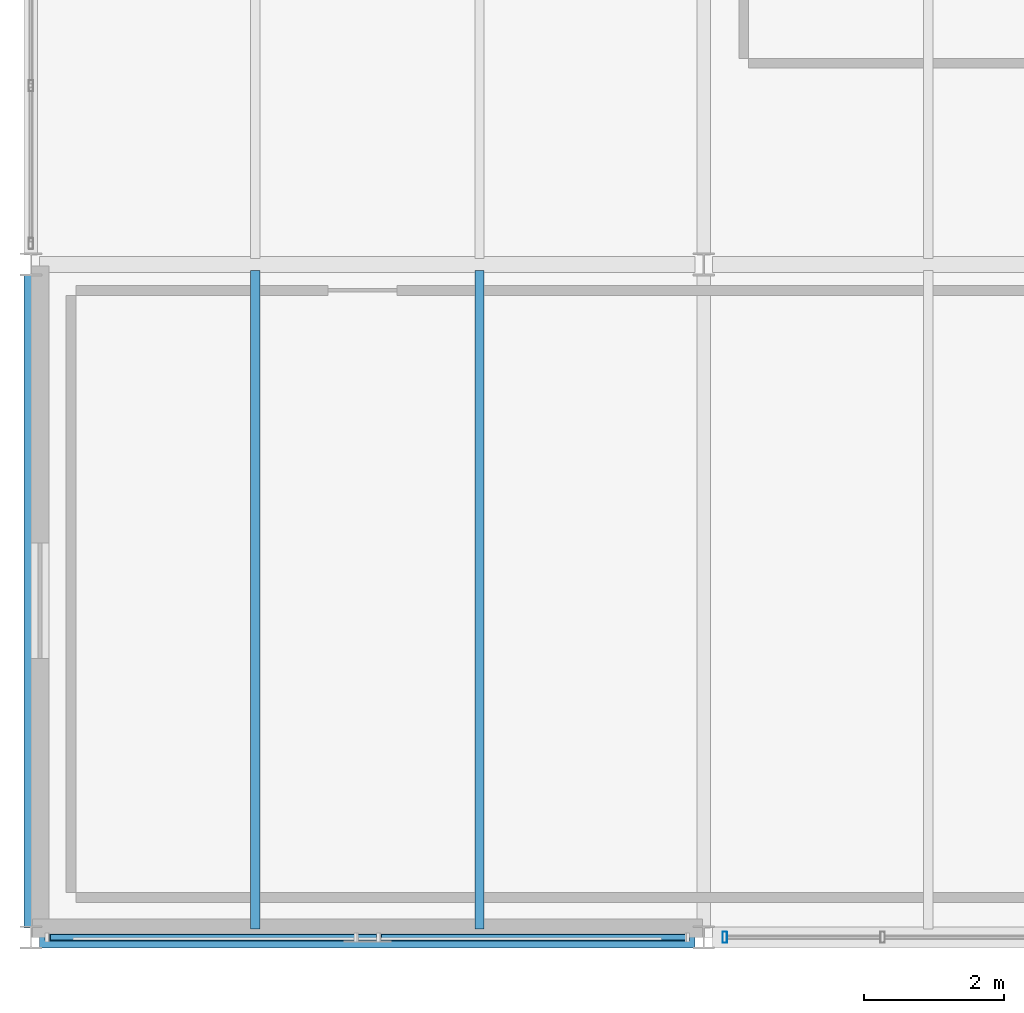
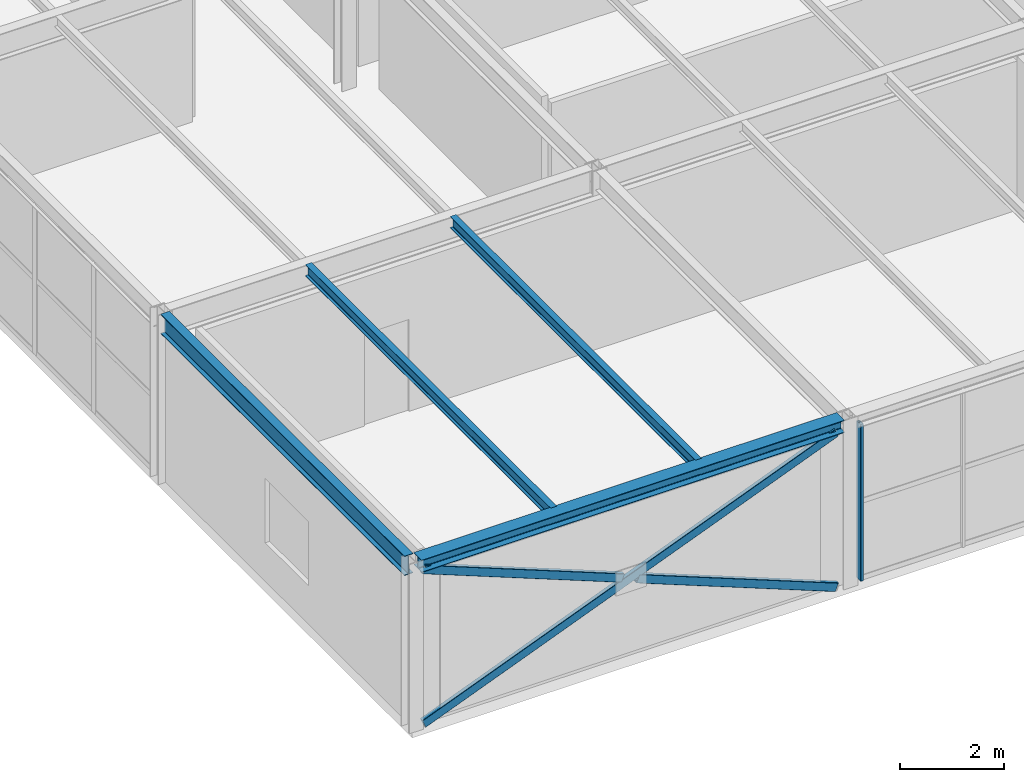
# One storey, part 5 of 50: 4 beams, 4 members, 1 element without a shape of its own.
"""IFC4 building model written with IfcOpenShell, lengths in metres."""

import ifcopenshell
import ifcopenshell.guid

model = None  # the IFC model being written
_history = None  # IfcOwnerHistory: only IFC2X3 demands one
_inside = {}  # id of a spatial element -> (the spatial element, [elements in it])
_under = {}  # id of a project, library or spatial element -> (it, [spatial elements below it])
_declared = {}  # id of a project -> (the project, [libraries it declares])
_typed = {}  # id of a type object -> (the type object, [elements of that type])
_made_of = {}  # id of a material, layer set ... -> (it, [elements and type objects made of it])


def new_model(schema):
    """Start an empty IFC model of exactly this schema.

    Asked for "IFC4X3", IfcOpenShell would pick the latest addendum, in which some entities
    have other attributes; the version numbers below select the first issue.
    IFC2X3 requires an IfcOwnerHistory on every rooted entity: one is made here for all.
    """
    global model, _history
    if schema == "IFC4X3":
        model = ifcopenshell.file(schema_version=(4, 3, 0, 0))
    else:
        model = ifcopenshell.file(schema=schema)
    _inside.clear()
    _under.clear()
    _declared.clear()
    _typed.clear()
    _made_of.clear()
    _history = None
    if model.schema == "IFC2X3":
        org = make("IfcOrganization", Name="unknown")
        user = make(
            "IfcPersonAndOrganization",
            ThePerson=make("IfcPerson", FamilyName="unknown"),
            TheOrganization=org,
        )
        app = make(
            "IfcApplication",
            ApplicationDeveloper=org,
            Version="unknown",
            ApplicationFullName="unknown",
            ApplicationIdentifier="unknown",
        )
        _history = make(
            "IfcOwnerHistory",
            OwningUser=user,
            OwningApplication=app,
            ChangeAction="ADDED",
            CreationDate=0,
        )
    return model


def make(cls, **values):
    """One entity of the class cls with the attributes given. An attribute that is None is left unset."""
    return model.create_entity(
        cls, **{name: value for name, value in values.items() if value is not None}
    )


def rooted(cls, **values):
    """An entity with a GlobalId (a new one), such as an element, a storey or a relation."""
    return make(cls, GlobalId=ifcopenshell.guid.new(), OwnerHistory=_history, **values)


def si_unit(unit_type, name, prefix=None):
    """IfcSIUnit, for example si_unit("LENGTHUNIT", "METRE", prefix="MILLI")."""
    return make("IfcSIUnit", UnitType=unit_type, Prefix=prefix, Name=name)


def assignment(units):
    """IfcUnitAssignment: the units of a project."""
    return None if units is None else make("IfcUnitAssignment", Units=units)


def point(xyz):
    """IfcCartesianPoint."""
    return None if xyz is None else make("IfcCartesianPoint", Coordinates=xyz)


def direction(xyz):
    """IfcDirection."""
    return None if xyz is None else make("IfcDirection", DirectionRatios=xyz)


def frame(location, z_axis=None, x_axis=None):
    """IfcAxis2Placement3D, a coordinate frame: its origin and axes. An axis left out is left unset."""
    return make(
        "IfcAxis2Placement3D",
        Location=point(location),
        Axis=direction(z_axis),
        RefDirection=direction(x_axis),
    )


def frame_2d(location, x_axis=None):
    """IfcAxis2Placement2D, a coordinate frame in the plane: its origin and x axis."""
    return make(
        "IfcAxis2Placement2D", Location=point(location), RefDirection=direction(x_axis)
    )


def origin():
    """The frame at (0, 0, 0) with its axes left unset."""
    return frame((0.0, 0.0, 0.0))


def origin_2d():
    """The frame at (0, 0) in the plane with its x axis left unset."""
    return frame_2d((0.0, 0.0))


def place(relative_to, where):
    """IfcLocalPlacement: puts the frame where relative to a parent placement (None: the world)."""
    return make(
        "IfcLocalPlacement", PlacementRelTo=relative_to, RelativePlacement=where
    )


def context(
    kind, dimensions, precision=None, world=None, true_north=None, identifier=None
):
    """IfcGeometricRepresentationContext, for example the 3D "Model" context."""
    return make(
        "IfcGeometricRepresentationContext",
        ContextIdentifier=identifier,
        ContextType=kind,
        CoordinateSpaceDimension=dimensions,
        Precision=precision,
        WorldCoordinateSystem=world,
        TrueNorth=true_north,
    )


def subcontext(parent, identifier, kind, view, scale=None):
    """IfcGeometricRepresentationSubContext, for example "Body" below "Model"."""
    return make(
        "IfcGeometricRepresentationSubContext",
        ContextIdentifier=identifier,
        ContextType=kind,
        ParentContext=parent,
        TargetScale=scale,
        TargetView=view,
    )


def project(units=None, contexts=None):
    """IfcProject with its units and contexts."""
    return rooted(
        "IfcProject",
        Name="project",
        RepresentationContexts=contexts,
        UnitsInContext=assignment(units),
    )


def spatial(cls, under=None, at=None, **own):
    """A site, building, storey or space (cls), placed at a placement, below another one or the project."""
    s = rooted(cls, ObjectPlacement=at, **own)
    if under is not None:
        _under.setdefault(under.id(), (under, []))[1].append(s)
    return s


def profile(cls, at=None, kind="AREA", **sizes):
    """A parametric profile (cls). Its sizes go by their IFC names, for example OverallWidth=200.0."""
    return make(cls, ProfileType=kind, Position=at, **sizes)


def hollow_rectangle(**sizes):
    """IfcRectangleHollowProfileDef."""
    return profile("IfcRectangleHollowProfileDef", **sizes)


def i_section(**sizes):
    """IfcIShapeProfileDef."""
    return profile("IfcIShapeProfileDef", **sizes)


def extrude(swept, where, along, depth):
    """IfcExtrudedAreaSolid: the profile swept, set in the frame where, extruded along a direction by depth."""
    return make(
        "IfcExtrudedAreaSolid",
        SweptArea=swept,
        Position=where,
        ExtrudedDirection=direction(along),
        Depth=depth,
    )


def shape(context_of_items, identifier, shape_type, items):
    """IfcShapeRepresentation: the items that make up one representation, for example the "Body"."""
    return make(
        "IfcShapeRepresentation",
        ContextOfItems=context_of_items,
        RepresentationIdentifier=identifier,
        RepresentationType=shape_type,
        Items=items,
    )


def material(Name=None, Category=None):
    """IfcMaterial."""
    return make("IfcMaterial", Name=Name, Category=Category)


def material_profile(
    of_material, cross_section, Name=None, Category=None, Priority=None
):
    """IfcMaterialProfile: a cross section and its material."""
    return make(
        "IfcMaterialProfile",
        Name=Name,
        Material=of_material,
        Profile=cross_section,
        Priority=Priority,
        Category=Category,
    )


def profile_set(profiles, Name=None, composite=None):
    """IfcMaterialProfileSet."""
    return make(
        "IfcMaterialProfileSet",
        Name=Name,
        MaterialProfiles=profiles,
        CompositeProfile=composite,
    )


def made_of(thing, what):
    """Note that an element or type object is made of a material, layer set ...; save() writes the relation."""
    if what is not None:
        _made_of.setdefault(what.id(), (what, []))[1].append(thing)
    return thing


def type_object(cls, material=None, **own):
    """A type object (cls), such as IfcWallType, which elements share."""
    return made_of(rooted(cls, **own), material)


def element(
    cls,
    number,
    at=None,
    inside=None,
    cuts=None,
    type_object=None,
    material=None,
    context=None,
    identifier="Body",
    shape_type=None,
    held_by="IfcProductDefinitionShape",
    body=None,
    shapes=None,
    **own,
):
    """One element of the class cls, such as IfcWall. Its Tag is "e" and its number.

    at: its placement. inside: the storey or other place that contains it. cuts: it is an
    opening in that element (IfcRelVoidsElement). A single representation is given by context,
    identifier, shape_type and body (its items); several are given by shapes. held_by: the class
    of the entity that holds the representations. save() writes the other relations.
    """
    e = rooted(cls, Tag="e%d" % number, ObjectPlacement=at, **own)
    if body is not None:
        shapes = [shape(context, identifier, shape_type, body)]
    if shapes is not None:
        e.Representation = make(held_by, Representations=shapes)
    if inside is not None:
        _inside.setdefault(inside.id(), (inside, []))[1].append(e)
    if cuts is not None:
        rooted(
            "IfcRelVoidsElement", RelatingBuildingElement=cuts, RelatedOpeningElement=e
        )
    if type_object is not None:
        _typed.setdefault(type_object.id(), (type_object, []))[1].append(e)
    return made_of(e, material)


def aggregate(whole, parts):
    """IfcRelAggregates: a whole, such as a stair, and the parts it consists of."""
    return rooted("IfcRelAggregates", RelatingObject=whole, RelatedObjects=parts)


def save(model, path):
    """Write the relations noted so far, then the file.

    IfcRelAggregates (storeys below a building ...), IfcRelContainedInSpatialStructure (elements
    in a storey), IfcRelDefinesByType, IfcRelAssociatesMaterial and IfcRelDeclares: one each for
    every whole, place, type object, material and project.
    """
    for whole, parts in _under.values():
        aggregate(whole, parts)
    for where, things in _inside.values():
        rooted(
            "IfcRelContainedInSpatialStructure",
            RelatedElements=things,
            RelatingStructure=where,
        )
    for kind, things in _typed.values():
        rooted("IfcRelDefinesByType", RelatedObjects=things, RelatingType=kind)
    for what, things in _made_of.values():
        rooted("IfcRelAssociatesMaterial", RelatedObjects=things, RelatingMaterial=what)
    for by, libraries in _declared.values():
        rooted("IfcRelDeclares", RelatingContext=by, RelatedDefinitions=libraries)
    model.write(path)


model = new_model("IFC4")

# Units and contexts
model_context = context("Model", 3, precision=1e-05, world=origin(), true_north=direction((0.0, 1.0)))
body_context = subcontext(model_context, "Body", "Model", "MODEL_VIEW")
ifc_project = project(units=[si_unit("LENGTHUNIT", "METRE"), si_unit("AREAUNIT", "SQUARE_METRE"), si_unit("VOLUMEUNIT", "CUBIC_METRE"), si_unit("PLANEANGLEUNIT", "RADIAN"), si_unit("MASSUNIT", "GRAM", prefix="KILO")], contexts=[model_context])

# Site, building, storey
site_placement = place(None, origin())
site = spatial("IfcSite", under=ifc_project, at=site_placement, CompositionType="ELEMENT")
building_placement = place(site_placement, origin())
building = spatial("IfcBuilding", under=site, at=building_placement, Name="Coralgate Yard Interchange", CompositionType="ELEMENT")
storey_placement = place(building_placement, frame((0.0, 0.0, 14.699951171875)))
storey = spatial("IfcBuildingStorey", under=building, at=storey_placement, Name="L03", CompositionType="ELEMENT", Elevation=14.699951171875)

# Beams
ifc_material_1 = material(Name="Structural steel S355J2", Category="steel")
ifc_material_profile_1 = material_profile(ifc_material_1, i_section(OverallWidth=0.1904296875, OverallDepth=0.45703125, WebThickness=0.009033203125, FlangeThickness=0.014404296875, FilletRadius=0.01025390625, at=origin_2d()), Name="UB 457x191x74")
ifc_profile_set_1 = profile_set([ifc_material_profile_1], Name="Structural steel S355J2")
beam_type_1 = type_object("IfcBeamType", Name="BM-SB-2", PredefinedType="BEAM", material=ifc_profile_set_1)
beam_1_placement = place(storey_placement, frame((0.0, 0.133544921875, 3.721435546875), z_axis=(0.0, 1.0, 0.0), x_axis=(-1.0, 0.0, 0.0)))
element("IfcBeam", 1, at=beam_1_placement, inside=storey, type_object=beam_type_1, Name="L03 primary grid girder X0 Y0-1", PredefinedType="BEAM", context=body_context, shape_type="SweptSolid", body=[
    extrude(i_section(OverallWidth=0.1904296875, OverallDepth=0.45703125, WebThickness=0.009033203125, FlangeThickness=0.014404296875, FilletRadius=0.01025390625, at=origin_2d()), origin(), (0.0, 0.0, 1.0), 9.3330078125),
])
ifc_material_profile_2 = material_profile(ifc_material_1, i_section(OverallWidth=0.135009765625, OverallDepth=0.27001953125, WebThickness=0.006591796875, FlangeThickness=0.01025390625, FilletRadius=0.014892578125, at=origin_2d()), Name="IPE 270")
ifc_profile_set_2 = profile_set([ifc_material_profile_2], Name="Structural steel S355J2")
beam_type_2 = type_object("IfcBeamType", Name="BM-SJ-3", PredefinedType="JOIST", material=ifc_profile_set_2)
for number, where, z_axis, x_axis, name in (
    (2, (3.199951171875, 0.1201171875, 3.81494140625), (0.0, 1.0, 0.0), (-1.0, 0.0, 0.0), "L03 composite floor joist 0-0-1"),
    (3, (6.39990234375, 0.1201171875, 3.81494140625), (0.0, 1.0, 0.0), (-1.0, 0.0, 0.0), "L03 composite floor joist 0-0-2"),
):
    element("IfcBeam", number, at=place(storey_placement, frame(where, z_axis=z_axis, x_axis=x_axis)), inside=storey, type_object=beam_type_2, Name=name, PredefinedType="JOIST", context=body_context, shape_type="SweptSolid", body=[
        extrude(i_section(OverallWidth=0.135009765625, OverallDepth=0.27001953125, WebThickness=0.006591796875, FlangeThickness=0.01025390625, FilletRadius=0.014892578125, at=origin_2d()), origin(), (0.0, 0.0, 1.0), 9.395751953125),
    ])
ifc_material_profile_3 = material_profile(ifc_material_1, i_section(OverallWidth=0.300048828125, OverallDepth=0.2900390625, WebThickness=0.008544921875, FlangeThickness=0.013916015625, FilletRadius=0.027099609375, at=origin_2d()), Name="HEA 300")
ifc_profile_set_3 = profile_set([ifc_material_profile_3], Name="Structural steel S355J2")
beam_type_3 = type_object("IfcBeamType", Name="BM-SP-2", PredefinedType="SPANDREL", material=ifc_profile_set_3)
beam_2_placement = place(storey_placement, frame((0.12548828125, 0.0, 3.804931640625), z_axis=(1.0, 0.0, 0.0), x_axis=(0.0, 1.0, 0.0)))
element("IfcBeam", 4, at=beam_2_placement, inside=storey, type_object=beam_type_3, Name="L03 primary grid beam Y0 X0-1", PredefinedType="SPANDREL", context=body_context, shape_type="SweptSolid", body=[
    extrude(i_section(OverallWidth=0.300048828125, OverallDepth=0.2900390625, WebThickness=0.008544921875, FlangeThickness=0.013916015625, FilletRadius=0.027099609375, at=origin_2d()), origin(), (0.0, 0.0, 1.0), 9.348876953125),
])

# Members
ifc_material_profile_4 = material_profile(ifc_material_1, hollow_rectangle(XDim=0.10009765625, YDim=0.199951171875, WallThickness=0.008056640625, InnerFilletRadius=0.008056640625, OuterFilletRadius=0.01611328125, at=origin_2d()), Name="RHS 200x100x8")
ifc_profile_set_4 = profile_set([ifc_material_profile_4], Name="Structural steel S355J2")
member_type_1 = type_object("IfcMemberType", Name="MB-BR-4", PredefinedType="BRACE", material=ifc_profile_set_4)
member_1_placement = place(storey_placement, frame((0.239990234375, 0.0, 0.02001953125), z_axis=(0.929804483599, 0.0, 0.368053830682), x_axis=(0.0, 1.0, 0.0)))
element("IfcMember", 5, at=member_1_placement, inside=storey, type_object=member_type_1, Name="L03 continuous concentric X-brace S-A", PredefinedType="BRACE", context=body_context, shape_type="SweptSolid", body=[
    extrude(hollow_rectangle(XDim=0.10009765625, YDim=0.199951171875, WallThickness=0.008056640625, InnerFilletRadius=0.008056640625, OuterFilletRadius=0.01611328125, at=origin_2d()), origin(), (0.0, 0.0, 1.0), 9.80859375),
])
member_2_placement = place(storey_placement, frame((9.360107421875, 0.0, 0.02001953125), z_axis=(-0.929800348414, 0.0, 0.368064277117), x_axis=(0.0, -1.0, 0.0)))
element("IfcMember", 6, at=member_2_placement, inside=storey, type_object=member_type_1, Name="L03 split concentric X-brace S-B1", PredefinedType="BRACE", context=body_context, shape_type="SweptSolid", body=[
    extrude(hollow_rectangle(XDim=0.10009765625, YDim=0.199951171875, WallThickness=0.008056640625, InnerFilletRadius=0.008056640625, OuterFilletRadius=0.01611328125, at=origin_2d()), origin(), (0.0, 0.0, 1.0), 4.723388671875),
])
member_3_placement = place(storey_placement, frame((4.631591796875, 0.0, 1.8916015625), z_axis=(-0.929793345781, 0.0, 0.368081966606), x_axis=(0.0, -1.0, 0.0)))
element("IfcMember", 7, at=member_3_placement, inside=storey, type_object=member_type_1, Name="L03 split concentric X-brace S-B2", PredefinedType="BRACE", context=body_context, shape_type="SweptSolid", body=[
    extrude(hollow_rectangle(XDim=0.10009765625, YDim=0.199951171875, WallThickness=0.008056640625, InnerFilletRadius=0.008056640625, OuterFilletRadius=0.01611328125, at=origin_2d()), origin(), (0.0, 0.0, 1.0), 4.72314453125),
])

# Curtain wall, member
ifc_material_2 = material(Name="Anodised coastal aluminium and solar-control low-E glass", Category="aluminium")
curtain_wall_type = type_object("IfcCurtainWallType", Name="CW-CW-L03-A", PredefinedType="NOTDEFINED", material=ifc_material_2)
curtain_wall_placement = place(storey_placement, origin())
curtain_wall = element("IfcCurtainWall", 8, at=curtain_wall_placement, inside=storey, type_object=curtain_wall_type, Name="L03 unitised curtain wall CW-L03-S-01-00", PredefinedType="NOTDEFINED")
ifc_material_3 = material(Name="Anodised coastal aluminium 6063-T6", Category="aluminium")
ifc_material_profile_5 = material_profile(ifc_material_3, hollow_rectangle(XDim=0.06494140625, YDim=0.159912109375, WallThickness=0.00390625, InnerFilletRadius=0.00390625, OuterFilletRadius=0.008056640625, at=origin_2d()), Name="ALU 65x160x4")
ifc_profile_set_5 = profile_set([ifc_material_profile_5], Name="Anodised coastal aluminium 6063-T6")
member_type_2 = type_object("IfcMemberType", Name="MB-MUL-160", PredefinedType="MULLION", material=ifc_profile_set_5)
member_4_placement = place(storey_placement, frame((9.89990234375, 0.0, 0.0), z_axis=(0.0, 0.0, 1.0), x_axis=(1.0, 0.0, 0.0)))
member_4 = element("IfcMember", 9, at=member_4_placement, type_object=member_type_2, Name="CW-L03-S-01-00 vertical mullion 5", PredefinedType="MULLION", context=body_context, shape_type="SweptSolid", body=[
    extrude(hollow_rectangle(XDim=0.06494140625, YDim=0.159912109375, WallThickness=0.00390625, InnerFilletRadius=0.00390625, OuterFilletRadius=0.008056640625, at=origin_2d()), origin(), (0.0, 0.0, 1.0), 3.66015625),
])
aggregate(curtain_wall, [member_4])

save(model, "model.ifc")
